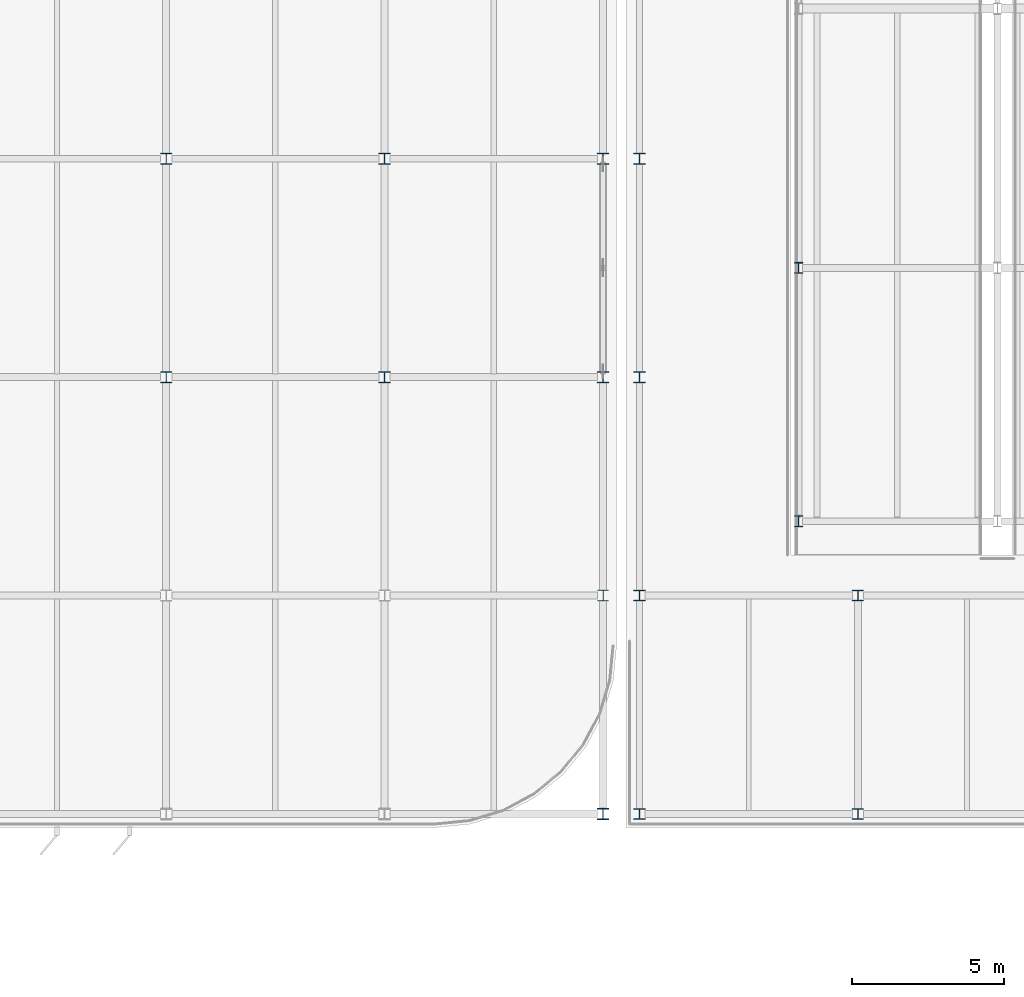
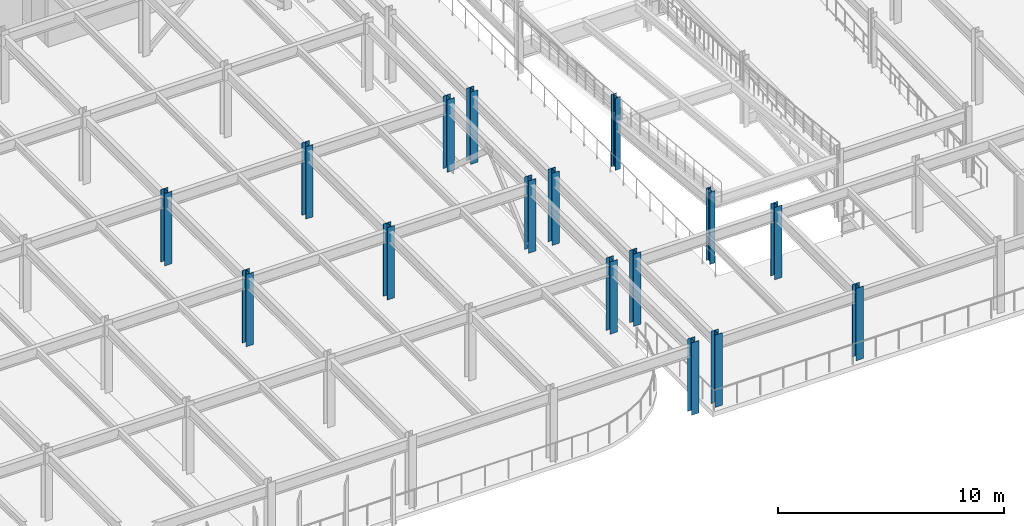
# One storey, part 6 of 52: 16 columns.
"""IFC4 building model written with IfcOpenShell, lengths in metres."""

from ifc_helpers import new_model, si_unit, direction, frame, origin, origin_2d, place, context, subcontext, project, spatial, i_section, extrude, material, material_profile, profile_set, type_object, element, save


model = new_model("IFC4")

# Units and contexts
model_context = context("Model", 3, precision=1e-05, world=origin(), true_north=direction((0.0, 1.0)))
body_context = subcontext(model_context, "Body", "Model", "MODEL_VIEW")
ifc_project = project(units=[si_unit("LENGTHUNIT", "METRE"), si_unit("AREAUNIT", "SQUARE_METRE"), si_unit("VOLUMEUNIT", "CUBIC_METRE"), si_unit("PLANEANGLEUNIT", "RADIAN"), si_unit("MASSUNIT", "GRAM", prefix="KILO")], contexts=[model_context])

# Site, building, storey
site_placement = place(None, origin())
site = spatial("IfcSite", under=ifc_project, at=site_placement, CompositionType="ELEMENT")
building_placement = place(site_placement, origin())
building = spatial("IfcBuilding", under=site, at=building_placement, Name="Vaelcorin Mobility Hub", CompositionType="ELEMENT")
storey_placement = place(building_placement, frame((0.0, 0.0, 13.199951171875)))
storey = spatial("IfcBuildingStorey", under=building, at=storey_placement, Name="L03", CompositionType="ELEMENT", Elevation=13.199951171875)

# Columns
ifc_material = material(Name="Steel ASTM A992 Grade 50", Category="steel")
ifc_material_profile_1 = material_profile(ifc_material, i_section(OverallWidth=0.37109375, OverallDepth=0.363037109375, WebThickness=0.01318359375, FlangeThickness=0.021728515625, FilletRadius=0.014892578125, at=origin_2d()), Name="W14X109")
ifc_profile_set_1 = profile_set([ifc_material_profile_1], Name="Steel ASTM A992 Grade 50")
column_type_1 = type_object("IfcColumnType", Name="COL-W14X109", PredefinedType="COLUMN", material=ifc_profile_set_1)
for number, where, z_axis, x_axis, name in (
    (1, (108.0, 91.199951171875, 0.0), (0.0, 0.0, 1.0), (1.0, 0.0, 0.0), "Column V4-X11Y03 L03"),
    (2, (108.0, 98.39990234375, 0.0), (0.0, 0.0, 1.0), (1.0, 0.0, 0.0), "Column V4-X11Y04 L03"),
    (3, (115.199951171875, 91.199951171875, 0.0), (0.0, 0.0, 1.0), (1.0, 0.0, 0.0), "Column V4-X12Y03 L03"),
    (4, (115.199951171875, 98.39990234375, 0.0), (0.0, 0.0, 1.0), (1.0, 0.0, 0.0), "Column V4-X12Y04 L03"),
    (5, (122.39990234375, 76.800048828125, 0.0), (0.0, 0.0, 1.0), (1.0, 0.0, 0.0), "Column V4-X13Y01 L03"),
    (6, (122.39990234375, 91.199951171875, 0.0), (0.0, 0.0, 1.0), (1.0, 0.0, 0.0), "Column V4-X13Y03 L03"),
    (7, (122.39990234375, 98.39990234375, 0.0), (0.0, 0.0, 1.0), (1.0, 0.0, 0.0), "Column V4-X13Y04 L03"),
):
    element("IfcColumn", number, at=place(storey_placement, frame(where, z_axis=z_axis, x_axis=x_axis)), inside=storey, type_object=column_type_1, Name=name, PredefinedType="COLUMN", context=body_context, shape_type="SweptSolid", body=[
        extrude(i_section(OverallWidth=0.37109375, OverallDepth=0.363037109375, WebThickness=0.01318359375, FlangeThickness=0.021728515625, FilletRadius=0.014892578125, at=origin_2d()), origin(), (0.0, 0.0, 1.0), 3.900146484375),
    ])
ifc_material_profile_2 = material_profile(ifc_material, i_section(OverallWidth=0.373046875, OverallDepth=0.373046875, WebThickness=0.016357421875, FlangeThickness=0.026123046875, FilletRadius=0.014892578125, at=origin_2d()), Name="W14X132")
ifc_profile_set_2 = profile_set([ifc_material_profile_2], Name="Steel ASTM A992 Grade 50")
column_type_2 = type_object("IfcColumnType", Name="COL-W14X132", PredefinedType="COLUMN", material=ifc_profile_set_2)
column_placement = place(storey_placement, frame((122.39990234375, 84.0, 0.0), z_axis=(0.0, 0.0, 1.0), x_axis=(1.0, 0.0, 0.0)))
element("IfcColumn", 8, at=column_placement, inside=storey, type_object=column_type_2, Name="Column V4-X13Y02 L03", PredefinedType="COLUMN", context=body_context, shape_type="SweptSolid", body=[
    extrude(i_section(OverallWidth=0.373046875, OverallDepth=0.373046875, WebThickness=0.016357421875, FlangeThickness=0.026123046875, FilletRadius=0.014892578125, at=origin_2d()), origin(), (0.0, 0.0, 1.0), 3.900146484375),
])
ifc_material_profile_3 = material_profile(ifc_material, i_section(OverallWidth=0.257080078125, OverallDepth=0.363037109375, WebThickness=0.012939453125, FlangeThickness=0.021728515625, FilletRadius=0.014892578125, at=origin_2d()), Name="W14X82")
ifc_profile_set_3 = profile_set([ifc_material_profile_3], Name="Steel ASTM A992 Grade 50")
column_type_3 = type_object("IfcColumnType", Name="COL-W14X82", PredefinedType="COLUMN", material=ifc_profile_set_3)
for number, where, z_axis, x_axis, name in (
    (9, (128.85009765625, 86.449951171875, 0.0), (0.0, 0.0, 1.0), (1.0, 0.0, 0.0), "Column V2E-RDRM-WS L03"),
    (10, (128.85009765625, 94.800048828125, 0.0), (0.0, 0.0, 1.0), (1.0, 0.0, 0.0), "Column V2E-RDRM-WC L03"),
):
    element("IfcColumn", number, at=place(storey_placement, frame(where, z_axis=z_axis, x_axis=x_axis)), inside=storey, type_object=column_type_3, Name=name, PredefinedType="COLUMN", context=body_context, shape_type="SweptSolid", body=[
        extrude(i_section(OverallWidth=0.257080078125, OverallDepth=0.363037109375, WebThickness=0.012939453125, FlangeThickness=0.021728515625, FilletRadius=0.014892578125, at=origin_2d()), origin(), (0.0, 0.0, 1.0), 3.900146484375),
    ])
ifc_material_profile_4 = material_profile(ifc_material, i_section(OverallWidth=0.367919921875, OverallDepth=0.35595703125, WebThickness=0.01123046875, FlangeThickness=0.01806640625, FilletRadius=0.014892578125, at=origin_2d()), Name="W14X90")
ifc_profile_set_4 = profile_set([ifc_material_profile_4], Name="Steel ASTM A992 Grade 50")
column_type_4 = type_object("IfcColumnType", Name="COL-W14X90", PredefinedType="COLUMN", material=ifc_profile_set_4)
for number, where, z_axis, x_axis, name in (
    (11, (123.60009765625, 76.800048828125, 0.0), (0.0, 0.0, 1.0), (1.0, 0.0, 0.0), "Column V2E-G1x1 L03"),
    (12, (123.60009765625, 84.0, 0.0), (0.0, 0.0, 1.0), (1.0, 0.0, 0.0), "Column V2E-G1x2 L03"),
    (13, (123.60009765625, 91.199951171875, 0.0), (0.0, 0.0, 1.0), (1.0, 0.0, 0.0), "Column V2E-G1x3 L03"),
    (14, (123.60009765625, 98.39990234375, 0.0), (0.0, 0.0, 1.0), (1.0, 0.0, 0.0), "Column V2E-G1x4 L03"),
    (15, (130.800048828125, 76.800048828125, 0.0), (0.0, 0.0, 1.0), (1.0, 0.0, 0.0), "Column V2E-G2x1 L03"),
    (16, (130.800048828125, 84.0, 0.0), (0.0, 0.0, 1.0), (1.0, 0.0, 0.0), "Column V2E-G2x2 L03"),
):
    element("IfcColumn", number, at=place(storey_placement, frame(where, z_axis=z_axis, x_axis=x_axis)), inside=storey, type_object=column_type_4, Name=name, PredefinedType="COLUMN", context=body_context, shape_type="SweptSolid", body=[
        extrude(i_section(OverallWidth=0.367919921875, OverallDepth=0.35595703125, WebThickness=0.01123046875, FlangeThickness=0.01806640625, FilletRadius=0.014892578125, at=origin_2d()), origin(), (0.0, 0.0, 1.0), 3.900146484375),
    ])

save(model, "model.ifc")
